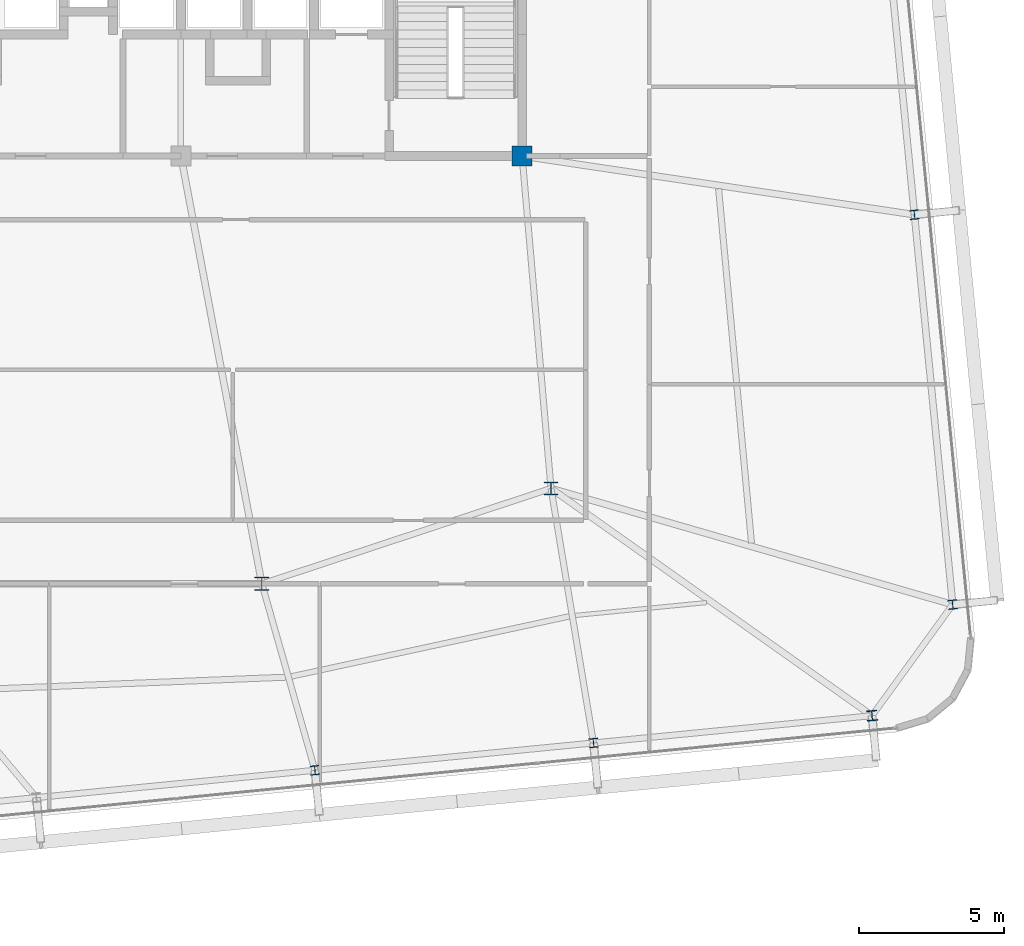
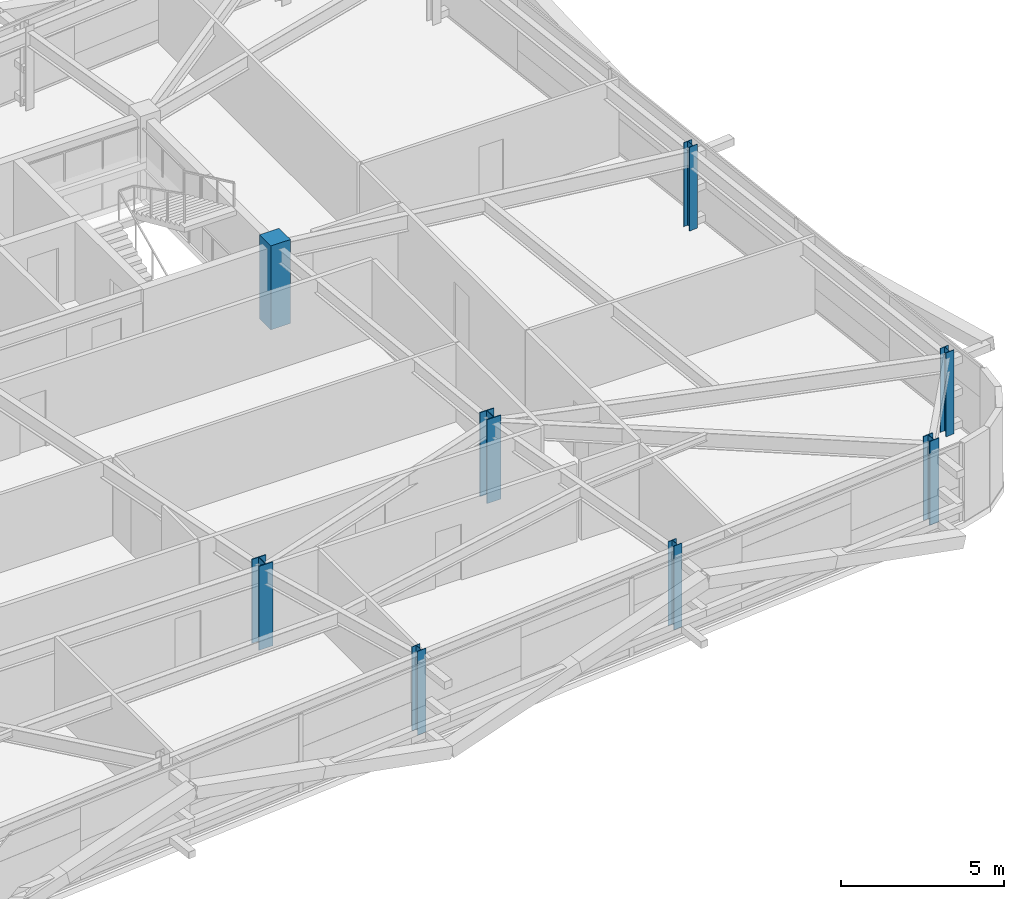
# One storey, part 2 of 47: 8 columns.
"""IFC4 building model written with IfcOpenShell, lengths in metres."""

from ifc_helpers import new_model, si_unit, direction, frame, origin, origin_2d, place, context, subcontext, project, spatial, rectangle, i_section, extrude, source, transform, mapped, material, material_profile, profile_set, type_object, element, save


model = new_model("IFC4")

# Units and contexts
model_context = context("Model", 3, precision=1e-05, world=origin(), true_north=direction((0.0, 1.0)))
body_context = subcontext(model_context, "Body", "Model", "MODEL_VIEW")
ifc_project = project(units=[si_unit("LENGTHUNIT", "METRE"), si_unit("AREAUNIT", "SQUARE_METRE"), si_unit("VOLUMEUNIT", "CUBIC_METRE"), si_unit("PLANEANGLEUNIT", "RADIAN"), si_unit("MASSUNIT", "GRAM", prefix="KILO")], contexts=[model_context])

# Site, building, storey
site_placement = place(None, origin())
site = spatial("IfcSite", under=ifc_project, at=site_placement, CompositionType="ELEMENT")
building_placement = place(site_placement, origin())
building = spatial("IfcBuilding", under=site, at=building_placement, Name="Taldren Reach Tower", CompositionType="ELEMENT")
storey_placement = place(building_placement, frame((0.0, 0.0, 90.300048828125)))
storey = spatial("IfcBuildingStorey", under=building, at=storey_placement, Name="L27", CompositionType="ELEMENT", Elevation=90.300048828125)

# Columns
ifc_material_1 = material(Name="Steel Gr 350 (350PLUS)", Category="steel")
ifc_material_profile_1 = material_profile(ifc_material_1, i_section(OverallWidth=0.5, OverallDepth=0.464111328125, WebThickness=0.02197265625, FlangeThickness=0.033935546875, at=origin_2d()), Name="500WC340")
ifc_profile_set_1 = profile_set([ifc_material_profile_1], Name="Steel Gr 350 (350PLUS)")
column_type_1 = type_object("IfcColumnType", Name="COL-WC500B", PredefinedType="COLUMN", material=ifc_profile_set_1)
shared_shape_1 = source(origin(), body_context, "Body", "SweptSolid", [
    extrude(i_section(OverallWidth=0.5, OverallDepth=0.464111328125, WebThickness=0.02197265625, FlangeThickness=0.033935546875, at=origin_2d()), origin(), (0.0, 0.0, 1.0), 3.14990234375),
])
for number, where, z_axis, x_axis, name in (
    (1, (42.0, 9.199951171875, 0.0), (0.0, 0.0, 1.0), (1.0, 0.0, 0.0), "Mega column MC-PJE L27"),
    (2, (52.0, 12.5, 0.0), (0.0, 0.0, 1.0), (1.0, 0.0, 0.0), "Mega column MC-SE L27"),
):
    element("IfcColumn", number, at=place(storey_placement, frame(where, z_axis=z_axis, x_axis=x_axis)), inside=storey, type_object=column_type_1, Name=name, PredefinedType="COLUMN", context=body_context, shape_type="MappedRepresentation", body=[
        mapped(shared_shape_1, transform((0.0, 0.0, 0.0), scale=1.0)),
    ])
ifc_material_2 = material(Name="Concrete S65 (65 MPa)", Category="concrete")
ifc_material_profile_2 = material_profile(ifc_material_2, rectangle(XDim=0.699951171875, YDim=0.699951171875, at=origin_2d()), Name="RC-700x700")
ifc_profile_set_2 = profile_set([ifc_material_profile_2], Name="Concrete S65 (65 MPa)")
column_type_2 = type_object("IfcColumnType", Name="COL-RC700", PredefinedType="COLUMN", material=ifc_profile_set_2)
shared_shape_2 = source(origin(), body_context, "Body", "SweptSolid", [
    extrude(rectangle(XDim=0.699951171875, YDim=0.699951171875, at=origin_2d()), origin(), (0.0, 0.0, 1.0), 3.14990234375),
])
column_1_placement = place(storey_placement, frame((51.0, 24.0, 0.0), z_axis=(0.0, 0.0, 1.0), x_axis=(1.0, 0.0, 0.0)))
element("IfcColumn", 3, at=column_1_placement, inside=storey, type_object=column_type_2, Name="Mega column MC-C4 L27", PredefinedType="COLUMN", context=body_context, shape_type="MappedRepresentation", body=[
    mapped(shared_shape_2, transform((0.0, 0.0, 0.0), scale=1.0)),
])
ifc_material_profile_3 = material_profile(ifc_material_1, i_section(OverallWidth=0.35009765625, OverallDepth=0.35595703125, WebThickness=0.01806640625, FlangeThickness=0.028076171875, at=origin_2d()), Name="350WC197")
ifc_profile_set_3 = profile_set([ifc_material_profile_3], Name="Steel Gr 350 (350PLUS)")
column_type_3 = type_object("IfcColumnType", Name="COL-WC350", PredefinedType="COLUMN", material=ifc_profile_set_3)
shared_shape_3 = source(origin(), body_context, "Body", "SweptSolid", [
    extrude(i_section(OverallWidth=0.35009765625, OverallDepth=0.35595703125, WebThickness=0.01806640625, FlangeThickness=0.028076171875, at=origin_2d()), origin(), (0.0, 0.0, 1.0), 3.14990234375),
])
column_2_placement = place(storey_placement, frame((63.103271484375, 4.64306640625, 0.0), z_axis=(0.0, 0.0, 1.0), x_axis=(0.995227399982, 0.097582899759, 0.0)))
element("IfcColumn", 4, at=column_2_placement, inside=storey, type_object=column_type_3, Name="Block B2 perimeter column S6 L27", PredefinedType="COLUMN", context=body_context, shape_type="MappedRepresentation", body=[
    mapped(shared_shape_3, transform((0.0, 0.0, 0.0), scale=1.0)),
])
ifc_material_profile_4 = material_profile(ifc_material_1, i_section(OverallWidth=0.306884765625, OverallDepth=0.31494140625, WebThickness=0.011962890625, FlangeThickness=0.018798828125, at=origin_2d()), Name="310UC118")
ifc_profile_set_4 = profile_set([ifc_material_profile_4], Name="Steel Gr 350 (350PLUS)")
column_type_4 = type_object("IfcColumnType", Name="COL-UC310B", PredefinedType="COLUMN", material=ifc_profile_set_4)
shared_shape_4 = source(origin(), body_context, "Body", "SweptSolid", [
    extrude(i_section(OverallWidth=0.306884765625, OverallDepth=0.31494140625, WebThickness=0.011962890625, FlangeThickness=0.018798828125, at=origin_2d()), origin(), (0.0, 0.0, 1.0), 3.14990234375),
])
for number, where, z_axis, x_axis, name in (
    (5, (43.83544921875, 2.75390625, 0.0), (0.0, 0.0, 1.0), (0.995227399982, 0.097582899759, 0.0), "Block B2 perimeter column S4 L27"),
    (6, (53.469482421875, 3.698486328125, 0.0), (0.0, 0.0, 1.0), (0.995227399982, 0.097582899759, 0.0), "Block B2 perimeter column S5 L27"),
    (7, (65.8916015625, 8.483642578125, 0.0), (0.0, 0.0, 1.0), (0.995227399982, 0.097582899759, 0.0), "Block B2 perimeter column E1 L27"),
    (8, (64.569580078125, 21.968994140625, 0.0), (0.0, 0.0, 1.0), (0.995227399982, 0.097582899759, 0.0), "Block B2 perimeter column E2 L27"),
):
    element("IfcColumn", number, at=place(storey_placement, frame(where, z_axis=z_axis, x_axis=x_axis)), inside=storey, type_object=column_type_4, Name=name, PredefinedType="COLUMN", context=body_context, shape_type="MappedRepresentation", body=[
        mapped(shared_shape_4, transform((0.0, 0.0, 0.0), scale=1.0)),
    ])

save(model, "model.ifc")
